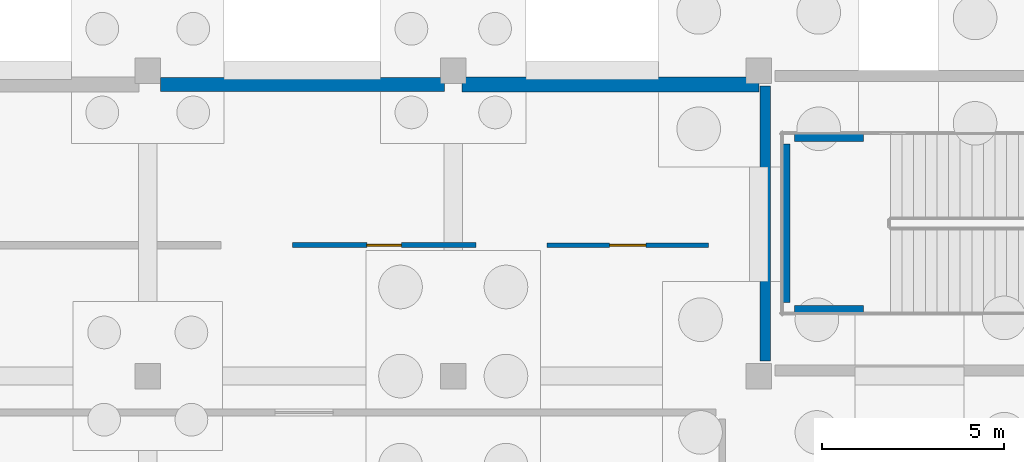
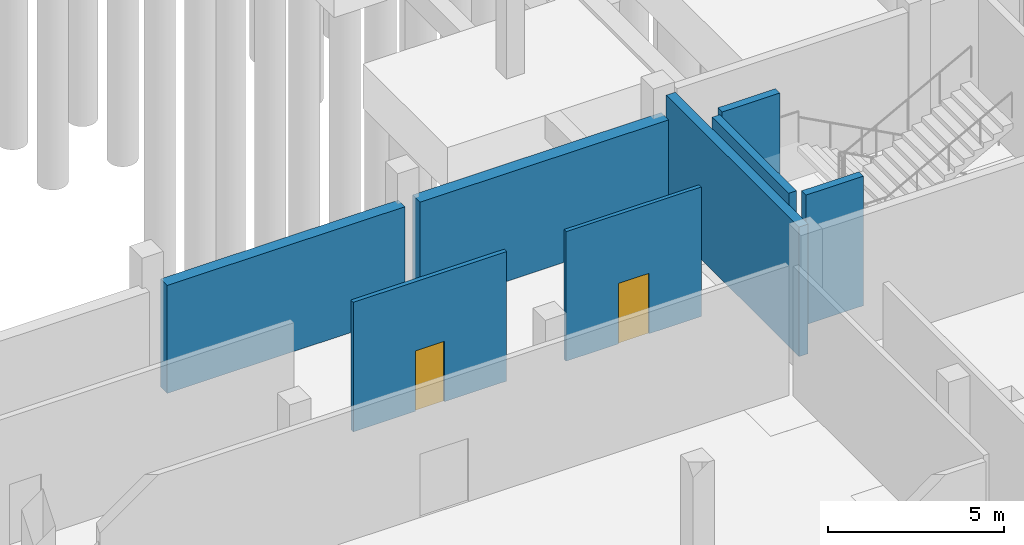
# One storey, part 15 of 24: 8 walls, 2 doors, 2 openings.
"""IFC4 building model written with IfcOpenShell, lengths in metres."""

from ifc_helpers import new_model, si_unit, derived_unit, direction, frame, frame_2d, origin, place, context, subcontext, project, spatial, rectangle, extrude, material, layer, layer_set, type_object, element, fill, save


model = new_model("IFC4")

# Units and contexts
model_context = context("Model", 3, precision=1e-05, world=origin(), true_north=direction((0.0, 1.0)))
body_context = subcontext(model_context, "Body", "Model", "MODEL_VIEW")
ifc_project = project(units=[si_unit("LENGTHUNIT", "METRE"), si_unit("AREAUNIT", "SQUARE_METRE"), si_unit("VOLUMEUNIT", "CUBIC_METRE"), si_unit("PLANEANGLEUNIT", "RADIAN"), si_unit("MASSUNIT", "GRAM", prefix="KILO"), derived_unit("THERMALTRANSMITTANCEUNIT", [(si_unit("POWERUNIT", "WATT"), 1), (si_unit("LENGTHUNIT", "METRE"), -2), (si_unit("THERMODYNAMICTEMPERATUREUNIT", "KELVIN"), -1)])], contexts=[model_context])

# Site, building, storey
site_placement = place(None, origin())
site = spatial("IfcSite", under=ifc_project, at=site_placement, CompositionType="ELEMENT")
building_placement = place(site_placement, origin())
building = spatial("IfcBuilding", under=site, at=building_placement, Name="Elbkamm Science Centre", CompositionType="ELEMENT")
storey_placement = place(building_placement, frame((0.0, 0.0, -4.800048828125)))
storey = spatial("IfcBuildingStorey", under=building, at=storey_placement, Name="B01", CompositionType="ELEMENT", Elevation=-4.800048828125)

# Walls
ifc_material_1 = material(Name="Reinforced concrete C40/50", Category="concrete")
ifc_layer_1 = layer(ifc_material_1, 0.25)
ifc_layer_set_1 = layer_set([ifc_layer_1], Name="Reinforced concrete C40/50")
wall_type_1 = type_object("IfcWallType", Name="WL-CORE-250", PredefinedType="SHEAR", material=ifc_layer_set_1)
wall_1_placement = place(storey_placement, frame((126.739990234375, 52.419921875, 0.0), z_axis=(0.0, 0.0, 1.0), x_axis=(0.0, 1.0, 0.0)))
element("IfcWall", 1, at=wall_1_placement, inside=storey, type_object=wall_type_1, Name="B01 ST-C3 Shaft Bearing Wall W", PredefinedType="SHEAR", context=body_context, shape_type="SweptSolid", body=[
    extrude(rectangle(XDim=4.360107421875, YDim=0.25, at=frame_2d((2.18017578125, 0.0))), origin(), (0.0, 0.0, 1.0), 4.5),
])
for number, where, z_axis, x_axis, name in (
    (2, (126.989990234375, 52.219970703125, 0.0), (0.0, 0.0, 1.0), (1.0, 0.0, 0.0), "B01 ST-C3 Shaft Bearing Wall S"),
    (3, (126.989990234375, 56.97998046875, 0.0), (0.0, 0.0, 1.0), (1.0, 0.0, 0.0), "B01 ST-C3 Shaft Bearing Wall N"),
):
    element("IfcWall", number, at=place(storey_placement, frame(where, z_axis=z_axis, x_axis=x_axis)), inside=storey, type_object=wall_type_1, Name=name, PredefinedType="SHEAR", context=body_context, shape_type="SweptSolid", body=[
        extrude(rectangle(XDim=1.889892578125, YDim=0.25, at=frame_2d((0.94482421875, 0.0))), origin(), (0.0, 0.0, 1.0), 4.5),
    ])
ifc_layer_2 = layer(ifc_material_1, 0.300048828125)
ifc_layer_set_2 = layer_set([ifc_layer_2], Name="Reinforced concrete C40/50")
wall_type_2 = type_object("IfcWallType", Name="WL-CORE-300", PredefinedType="SHEAR", material=ifc_layer_set_2)
wall_2_placement = place(storey_placement, frame((126.179931640625, 50.820068359375, 0.0), z_axis=(0.0, 0.0, 1.0), x_axis=(0.0, 1.0, 0.0)))
element("IfcWall", 4, at=wall_2_placement, inside=storey, type_object=wall_type_2, Name="B01 Core C3 Northeast Laboratories and Observatory Core Shear Wall W", PredefinedType="SHEAR", context=body_context, shape_type="SweptSolid", body=[
    extrude(rectangle(XDim=7.559814453125, YDim=0.300048828125, at=frame_2d((3.77978515625, 0.0))), origin(), (0.0, 0.0, 1.0), 4.5),
])

# Wall, opening, door
ifc_material_2 = material(Name="Lightweight metal-stud gypsum partition", Category="gypsum")
ifc_layer_3 = layer(ifc_material_2, 0.125)
ifc_layer_set_3 = layer_set([ifc_layer_3], Name="Lightweight metal-stud gypsum partition")
wall_type_3 = type_object("IfcWallType", Name="WL-PART-125", PredefinedType="PARTITIONING", material=ifc_layer_set_3)
wall_3_placement = place(storey_placement, frame((124.6201171875, 54.0, 0.0), z_axis=(0.0, 0.0, 1.0), x_axis=(-1.0, 0.0, 0.0)))
wall_3 = element("IfcWall", 5, at=wall_3_placement, inside=storey, type_object=wall_type_3, Name="B01 Accessible WC B01 Partition 0022", PredefinedType="PARTITIONING", context=body_context, shape_type="SweptSolid", body=[
    extrude(rectangle(XDim=4.440185546875, YDim=0.125, at=frame_2d((2.22021484375, 0.0))), origin(), (0.0, 0.0, 1.0), 4.5),
])
opening_1_placement = place(wall_3_placement, frame((1.719970703125, 0.0, 0.0)))
opening_1 = element("IfcOpeningElement", 6, at=opening_1_placement, cuts=wall_3, Name="Opening DI-10", PredefinedType="OPENING", context=body_context, shape_type="SweptSolid", body=[
    extrude(rectangle(XDim=1.0, YDim=2.10009765625, at=frame_2d((0.5, 1.050048828125))), frame((0.0, 0.074462890625, 0.0), z_axis=(0.0, -1.0, 0.0), x_axis=(1.0, 0.0, 0.0)), (0.0, 0.0, 1.0), 0.14892578125),
])
ifc_material_3 = material(Name="Powder-coated aluminium accessible WC door", Category="aluminium")
ifc_layer_4 = layer(ifc_material_3, 0.050048828125)
ifc_layer_set_4 = layer_set([ifc_layer_4], Name="Powder-coated aluminium accessible WC door")
door_type_1 = type_object("IfcDoorType", Name="DR-AWC-1000x2100", OperationType="NOTDEFINED", PredefinedType="DOOR", material=ifc_layer_set_4)
door_1_placement = place(opening_1_placement, origin())
door_1 = element("IfcDoor", 7, at=door_1_placement, inside=storey, type_object=door_type_1, Name="B01 Accessible WC B01 Door", OperationType="SINGLE_SWING_RIGHT", OverallHeight=2.10009765625, OverallWidth=1.0, PredefinedType="DOOR", context=body_context, shape_type="SweptSolid", body=[
    extrude(rectangle(XDim=1.0, YDim=2.10009765625, at=frame_2d((0.5, 1.050048828125))), frame((0.0, 0.02490234375, 0.0), z_axis=(0.0, -1.0, 0.0), x_axis=(1.0, 0.0, 0.0)), (0.0, 0.0, 1.0), 0.050048828125),
])
fill(opening_1, door_1)

ifc_material_4 = material(Name="Acoustic metal-stud gypsum partition", Category="gypsum")
ifc_layer_5 = layer(ifc_material_4, 0.139892578125)
ifc_layer_set_5 = layer_set([ifc_layer_5], Name="Acoustic metal-stud gypsum partition")
wall_type_4 = type_object("IfcWallType", Name="WL-PART-140", PredefinedType="PARTITIONING", material=ifc_layer_set_5)
wall_4_placement = place(storey_placement, frame((118.219970703125, 54.0, 0.0), z_axis=(0.0, 0.0, 1.0), x_axis=(-1.0, 0.0, 0.0)))
wall_4 = element("IfcWall", 8, at=wall_4_placement, inside=storey, type_object=wall_type_4, Name="B01 Staff Washroom B01 Partition 0021", PredefinedType="PARTITIONING", context=body_context, shape_type="SweptSolid", body=[
    extrude(rectangle(XDim=5.0400390625, YDim=0.139892578125, at=frame_2d((2.52001953125, 0.0))), origin(), (0.0, 0.0, 1.0), 4.5),
])
opening_2_placement = place(wall_4_placement, frame((2.044921875, 0.0, 0.0)))
opening_2 = element("IfcOpeningElement", 9, at=opening_2_placement, cuts=wall_4, Name="Opening DI-09", PredefinedType="OPENING", context=body_context, shape_type="SweptSolid", body=[
    extrude(rectangle(XDim=0.949951171875, YDim=2.10009765625, at=frame_2d((0.47509765625, 1.050048828125))), frame((0.0, 0.08203125, 0.0), z_axis=(0.0, -1.0, 0.0), x_axis=(1.0, 0.0, 0.0)), (0.0, 0.0, 1.0), 0.163818359375),
])
ifc_material_5 = material(Name="Powder-coated aluminium washroom door", Category="aluminium")
ifc_layer_6 = layer(ifc_material_5, 0.050048828125)
ifc_layer_set_6 = layer_set([ifc_layer_6], Name="Powder-coated aluminium washroom door")
door_type_2 = type_object("IfcDoorType", Name="DR-INT-950x2100", OperationType="NOTDEFINED", PredefinedType="DOOR", material=ifc_layer_set_6)
door_2_placement = place(opening_2_placement, origin())
door_2 = element("IfcDoor", 10, at=door_2_placement, inside=storey, type_object=door_type_2, Name="B01 Staff Washroom B01 Door", OperationType="SINGLE_SWING_RIGHT", OverallHeight=2.10009765625, OverallWidth=0.949951171875, PredefinedType="DOOR", context=body_context, shape_type="SweptSolid", body=[
    extrude(rectangle(XDim=0.949951171875, YDim=2.10009765625, at=frame_2d((0.47509765625, 1.050048828125))), frame((0.0, 0.02490234375, 0.0), z_axis=(0.0, -1.0, 0.0), x_axis=(1.0, 0.0, 0.0)), (0.0, 0.0, 1.0), 0.050048828125),
])
fill(opening_2, door_2)

# Walls
ifc_material_6 = material(Name="Waterproof concrete C35/45", Category="concrete")
ifc_layer_7 = layer(ifc_material_6, 0.3798828125)
ifc_layer_set_7 = layer_set([ifc_layer_7], Name="Waterproof concrete C35/45")
wall_type_5 = type_object("IfcWallType", Name="WL-RET-380", PredefinedType="USERDEFINED", material=ifc_layer_set_7)
wall_5_placement = place(storey_placement, frame((109.552001953125, 58.419921875, 0.0), z_axis=(0.0, 0.0, 1.0), x_axis=(1.0, 0.0, 0.0)))
element("IfcWall", 11, at=wall_5_placement, inside=storey, type_object=wall_type_5, Name="B01 Exterior Wall 0071", ObjectType="RETAININGWALL", PredefinedType="USERDEFINED", context=body_context, shape_type="SweptSolid", body=[
    extrude(rectangle(XDim=7.808837890625, YDim=0.3798828125, at=frame_2d((3.904296875, 0.0))), origin(), (0.0, 0.0, 1.0), 3.75),
])
ifc_layer_8 = layer(ifc_material_6, 0.419921875)
ifc_layer_set_8 = layer_set([ifc_layer_8], Name="Waterproof concrete C35/45")
wall_type_6 = type_object("IfcWallType", Name="WL-RET-420", PredefinedType="USERDEFINED", material=ifc_layer_set_8)
wall_6_placement = place(storey_placement, frame((117.839111328125, 58.419921875, 0.0), z_axis=(0.0, 0.0, 1.0), x_axis=(1.0, 0.0, 0.0)))
element("IfcWall", 12, at=wall_6_placement, inside=storey, type_object=wall_type_6, Name="B01 Exterior Wall 0072", ObjectType="RETAININGWALL", PredefinedType="USERDEFINED", context=body_context, shape_type="SweptSolid", body=[
    extrude(rectangle(XDim=8.17578125, YDim=0.419921875, at=frame_2d((4.087890625, 0.0))), origin(), (0.0, 0.0, 1.0), 3.75),
])

save(model, "model.ifc")
